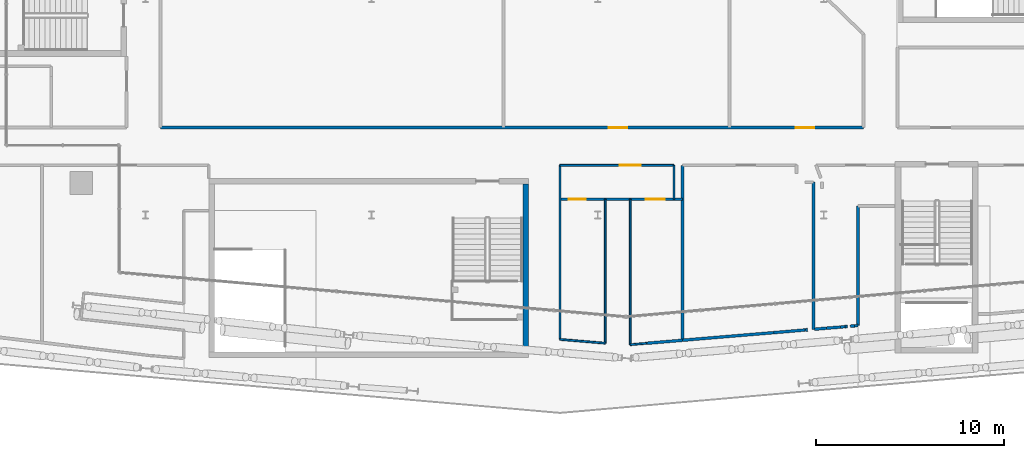
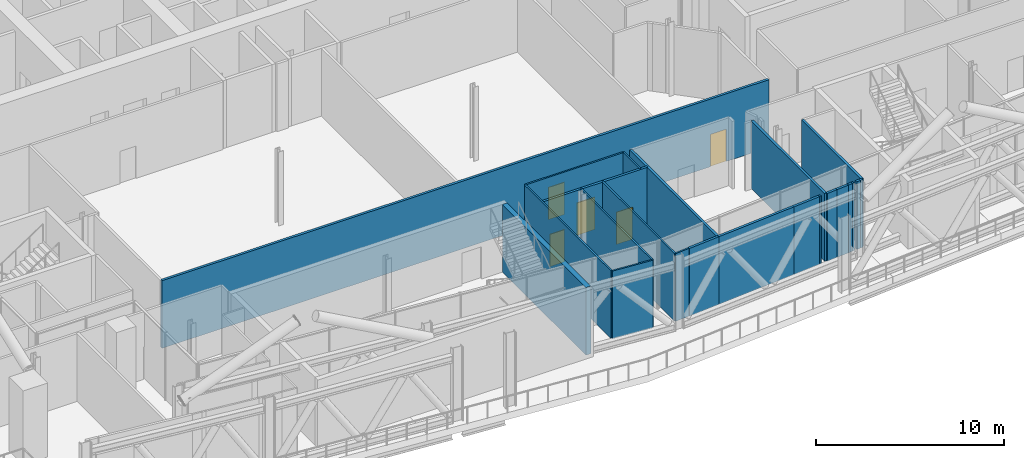
# One storey, part 14 of 35: 23 walls, 5 doors, 5 openings.
"""IFC4 building model written with IfcOpenShell, lengths in metres."""

import ifcopenshell
import ifcopenshell.guid

model = None  # the IFC model being written
_history = None  # IfcOwnerHistory: only IFC2X3 demands one
_inside = {}  # id of a spatial element -> (the spatial element, [elements in it])
_under = {}  # id of a project, library or spatial element -> (it, [spatial elements below it])
_declared = {}  # id of a project -> (the project, [libraries it declares])
_typed = {}  # id of a type object -> (the type object, [elements of that type])
_made_of = {}  # id of a material, layer set ... -> (it, [elements and type objects made of it])


def new_model(schema):
    """Start an empty IFC model of exactly this schema.

    Asked for "IFC4X3", IfcOpenShell would pick the latest addendum, in which some entities
    have other attributes; the version numbers below select the first issue.
    IFC2X3 requires an IfcOwnerHistory on every rooted entity: one is made here for all.
    """
    global model, _history
    if schema == "IFC4X3":
        model = ifcopenshell.file(schema_version=(4, 3, 0, 0))
    else:
        model = ifcopenshell.file(schema=schema)
    _inside.clear()
    _under.clear()
    _declared.clear()
    _typed.clear()
    _made_of.clear()
    _history = None
    if model.schema == "IFC2X3":
        org = make("IfcOrganization", Name="unknown")
        user = make(
            "IfcPersonAndOrganization",
            ThePerson=make("IfcPerson", FamilyName="unknown"),
            TheOrganization=org,
        )
        app = make(
            "IfcApplication",
            ApplicationDeveloper=org,
            Version="unknown",
            ApplicationFullName="unknown",
            ApplicationIdentifier="unknown",
        )
        _history = make(
            "IfcOwnerHistory",
            OwningUser=user,
            OwningApplication=app,
            ChangeAction="ADDED",
            CreationDate=0,
        )
    return model


def make(cls, **values):
    """One entity of the class cls with the attributes given. An attribute that is None is left unset."""
    return model.create_entity(
        cls, **{name: value for name, value in values.items() if value is not None}
    )


def rooted(cls, **values):
    """An entity with a GlobalId (a new one), such as an element, a storey or a relation."""
    return make(cls, GlobalId=ifcopenshell.guid.new(), OwnerHistory=_history, **values)


def si_unit(unit_type, name, prefix=None):
    """IfcSIUnit, for example si_unit("LENGTHUNIT", "METRE", prefix="MILLI")."""
    return make("IfcSIUnit", UnitType=unit_type, Prefix=prefix, Name=name)


def assignment(units):
    """IfcUnitAssignment: the units of a project."""
    return None if units is None else make("IfcUnitAssignment", Units=units)


def point(xyz):
    """IfcCartesianPoint."""
    return None if xyz is None else make("IfcCartesianPoint", Coordinates=xyz)


def direction(xyz):
    """IfcDirection."""
    return None if xyz is None else make("IfcDirection", DirectionRatios=xyz)


def frame(location, z_axis=None, x_axis=None):
    """IfcAxis2Placement3D, a coordinate frame: its origin and axes. An axis left out is left unset."""
    return make(
        "IfcAxis2Placement3D",
        Location=point(location),
        Axis=direction(z_axis),
        RefDirection=direction(x_axis),
    )


def frame_2d(location, x_axis=None):
    """IfcAxis2Placement2D, a coordinate frame in the plane: its origin and x axis."""
    return make(
        "IfcAxis2Placement2D", Location=point(location), RefDirection=direction(x_axis)
    )


def origin():
    """The frame at (0, 0, 0) with its axes left unset."""
    return frame((0.0, 0.0, 0.0))


def place(relative_to, where):
    """IfcLocalPlacement: puts the frame where relative to a parent placement (None: the world)."""
    return make(
        "IfcLocalPlacement", PlacementRelTo=relative_to, RelativePlacement=where
    )


def context(
    kind, dimensions, precision=None, world=None, true_north=None, identifier=None
):
    """IfcGeometricRepresentationContext, for example the 3D "Model" context."""
    return make(
        "IfcGeometricRepresentationContext",
        ContextIdentifier=identifier,
        ContextType=kind,
        CoordinateSpaceDimension=dimensions,
        Precision=precision,
        WorldCoordinateSystem=world,
        TrueNorth=true_north,
    )


def subcontext(parent, identifier, kind, view, scale=None):
    """IfcGeometricRepresentationSubContext, for example "Body" below "Model"."""
    return make(
        "IfcGeometricRepresentationSubContext",
        ContextIdentifier=identifier,
        ContextType=kind,
        ParentContext=parent,
        TargetScale=scale,
        TargetView=view,
    )


def project(units=None, contexts=None):
    """IfcProject with its units and contexts."""
    return rooted(
        "IfcProject",
        Name="project",
        RepresentationContexts=contexts,
        UnitsInContext=assignment(units),
    )


def spatial(cls, under=None, at=None, **own):
    """A site, building, storey or space (cls), placed at a placement, below another one or the project."""
    s = rooted(cls, ObjectPlacement=at, **own)
    if under is not None:
        _under.setdefault(under.id(), (under, []))[1].append(s)
    return s


def profile(cls, at=None, kind="AREA", **sizes):
    """A parametric profile (cls). Its sizes go by their IFC names, for example OverallWidth=200.0."""
    return make(cls, ProfileType=kind, Position=at, **sizes)


def rectangle(**sizes):
    """IfcRectangleProfileDef."""
    return profile("IfcRectangleProfileDef", **sizes)


def extrude(swept, where, along, depth):
    """IfcExtrudedAreaSolid: the profile swept, set in the frame where, extruded along a direction by depth."""
    return make(
        "IfcExtrudedAreaSolid",
        SweptArea=swept,
        Position=where,
        ExtrudedDirection=direction(along),
        Depth=depth,
    )


def shape(context_of_items, identifier, shape_type, items):
    """IfcShapeRepresentation: the items that make up one representation, for example the "Body"."""
    return make(
        "IfcShapeRepresentation",
        ContextOfItems=context_of_items,
        RepresentationIdentifier=identifier,
        RepresentationType=shape_type,
        Items=items,
    )


def material(Name=None, Category=None):
    """IfcMaterial."""
    return make("IfcMaterial", Name=Name, Category=Category)


def layer(
    of_material, thickness, ventilated=None, Name=None, Category=None, Priority=None
):
    """IfcMaterialLayer: one layer of a wall or slab, of a material (None: an air gap)."""
    return make(
        "IfcMaterialLayer",
        Material=of_material,
        LayerThickness=thickness,
        IsVentilated=ventilated,
        Name=Name,
        Category=Category,
        Priority=Priority,
    )


def layer_set(layers, Name=None):
    """IfcMaterialLayerSet."""
    return make("IfcMaterialLayerSet", MaterialLayers=layers, LayerSetName=Name)


def made_of(thing, what):
    """Note that an element or type object is made of a material, layer set ...; save() writes the relation."""
    if what is not None:
        _made_of.setdefault(what.id(), (what, []))[1].append(thing)
    return thing


def type_object(cls, material=None, **own):
    """A type object (cls), such as IfcWallType, which elements share."""
    return made_of(rooted(cls, **own), material)


def element(
    cls,
    number,
    at=None,
    inside=None,
    cuts=None,
    type_object=None,
    material=None,
    context=None,
    identifier="Body",
    shape_type=None,
    held_by="IfcProductDefinitionShape",
    body=None,
    shapes=None,
    **own,
):
    """One element of the class cls, such as IfcWall. Its Tag is "e" and its number.

    at: its placement. inside: the storey or other place that contains it. cuts: it is an
    opening in that element (IfcRelVoidsElement). A single representation is given by context,
    identifier, shape_type and body (its items); several are given by shapes. held_by: the class
    of the entity that holds the representations. save() writes the other relations.
    """
    e = rooted(cls, Tag="e%d" % number, ObjectPlacement=at, **own)
    if body is not None:
        shapes = [shape(context, identifier, shape_type, body)]
    if shapes is not None:
        e.Representation = make(held_by, Representations=shapes)
    if inside is not None:
        _inside.setdefault(inside.id(), (inside, []))[1].append(e)
    if cuts is not None:
        rooted(
            "IfcRelVoidsElement", RelatingBuildingElement=cuts, RelatedOpeningElement=e
        )
    if type_object is not None:
        _typed.setdefault(type_object.id(), (type_object, []))[1].append(e)
    return made_of(e, material)


def fill(opening, filler):
    """IfcRelFillsElement: the door or window that sits in an opening."""
    return rooted(
        "IfcRelFillsElement",
        RelatingOpeningElement=opening,
        RelatedBuildingElement=filler,
    )


def aggregate(whole, parts):
    """IfcRelAggregates: a whole, such as a stair, and the parts it consists of."""
    return rooted("IfcRelAggregates", RelatingObject=whole, RelatedObjects=parts)


def save(model, path):
    """Write the relations noted so far, then the file.

    IfcRelAggregates (storeys below a building ...), IfcRelContainedInSpatialStructure (elements
    in a storey), IfcRelDefinesByType, IfcRelAssociatesMaterial and IfcRelDeclares: one each for
    every whole, place, type object, material and project.
    """
    for whole, parts in _under.values():
        aggregate(whole, parts)
    for where, things in _inside.values():
        rooted(
            "IfcRelContainedInSpatialStructure",
            RelatedElements=things,
            RelatingStructure=where,
        )
    for kind, things in _typed.values():
        rooted("IfcRelDefinesByType", RelatedObjects=things, RelatingType=kind)
    for what, things in _made_of.values():
        rooted("IfcRelAssociatesMaterial", RelatedObjects=things, RelatingMaterial=what)
    for by, libraries in _declared.values():
        rooted("IfcRelDeclares", RelatingContext=by, RelatedDefinitions=libraries)
    model.write(path)


model = new_model("IFC4")

# Units and contexts
model_context = context("Model", 3, precision=1e-05, world=origin(), true_north=direction((0.0, 1.0)))
body_context = subcontext(model_context, "Body", "Model", "MODEL_VIEW")
ifc_project = project(units=[si_unit("LENGTHUNIT", "METRE"), si_unit("AREAUNIT", "SQUARE_METRE"), si_unit("VOLUMEUNIT", "CUBIC_METRE"), si_unit("PLANEANGLEUNIT", "RADIAN"), si_unit("MASSUNIT", "GRAM", prefix="KILO")], contexts=[model_context])

# Site, building, storey
site_placement = place(None, origin())
site = spatial("IfcSite", under=ifc_project, at=site_placement, CompositionType="ELEMENT")
building_placement = place(site_placement, origin())
building = spatial("IfcBuilding", under=site, at=building_placement, Name="Wharfspan Tower", CompositionType="ELEMENT")
storey_placement = place(building_placement, frame((0.0, 0.0, 202.300049)))
storey = spatial("IfcBuildingStorey", under=building, at=storey_placement, Name="L50", CompositionType="ELEMENT", Elevation=202.300049)

# Wall
ifc_material_1 = material(Name="Gypsum board on steel studs", Category="steel")
ifc_layer_1 = layer(ifc_material_1, 0.100098)
ifc_layer_set_1 = layer_set([ifc_layer_1], Name="Gypsum board on steel studs")
wall_type_1 = type_object("IfcWallType", Name="Compartment wall 100 EI 60", PredefinedType="PARTITIONING", material=ifc_layer_set_1)
wall_1_placement = place(storey_placement, frame((46.0, 4.899902, 0.0), z_axis=(0.0, 0.0, 1.0), x_axis=(0.0, 1.0, 0.0)))
element("IfcWall", 1, at=wall_1_placement, inside=storey, type_object=wall_type_1, Name="Partition L50.w047", PredefinedType="PARTITIONING", context=body_context, shape_type="SweptSolid", body=[
    extrude(rectangle(XDim=9.235107, YDim=0.100098, at=frame_2d((4.617676, 0.0))), origin(), (0.0, 0.0, 1.0), 4.399902),
])

# Wall, opening, door
wall_2_placement = place(storey_placement, frame((46.0, 14.13501, 0.0), z_axis=(0.0, 0.0, 1.0), x_axis=(1.0, 0.0, 0.0)))
wall_2 = element("IfcWall", 2, at=wall_2_placement, inside=storey, type_object=wall_type_1, Name="Partition L50.w049", PredefinedType="PARTITIONING", context=body_context, shape_type="SweptSolid", body=[
    extrude(rectangle(XDim=6.050049, YDim=0.100098, at=frame_2d((3.024902, 0.0))), origin(), (0.0, 0.0, 1.0), 4.399902),
])
opening_1_placement = place(wall_2_placement, frame((3.179932, 0.0, 0.0)))
opening_1 = element("IfcOpeningElement", 3, at=opening_1_placement, cuts=wall_2, Name="Opening BC-03", PredefinedType="OPENING", context=body_context, shape_type="SweptSolid", body=[
    extrude(rectangle(XDim=1.100098, YDim=2.100098, at=frame_2d((0.550049, 1.050049))), frame((0.0, 0.060059, 0.0), z_axis=(0.0, -1.0, 0.0), x_axis=(1.0, 0.0, 0.0)), (0.0, 0.0, 1.0), 0.120117),
])
ifc_material_2 = material(Name="Fire-rated timber door leaf in steel frame", Category="steel")
door_type_1 = type_object("IfcDoorType", Name="Door 1100 FD30S Right", OperationType="SINGLE_SWING_RIGHT", PredefinedType="DOOR", material=ifc_material_2)
door_1_placement = place(opening_1_placement, origin())
door_1 = element("IfcDoor", 4, at=door_1_placement, inside=storey, type_object=door_type_1, Name="Door BC-03", OperationType="SINGLE_SWING_RIGHT", OverallHeight=2.100098, OverallWidth=1.100098, PredefinedType="DOOR", context=body_context, shape_type="SweptSolid", body=[
    extrude(rectangle(XDim=1.100098, YDim=2.100098, at=frame_2d((0.550049, 1.050049))), frame((0.0, 0.024902, 0.0), z_axis=(0.0, -1.0, 0.0), x_axis=(1.0, 0.0, 0.0)), (0.0, 0.0, 1.0), 0.050049),
])
fill(opening_1, door_1)

# Walls
wall_3_placement = place(storey_placement, frame((52.050049, 12.344971, 0.0), z_axis=(0.0, 0.0, 1.0), x_axis=(0.0, 1.0, 0.0)))
element("IfcWall", 5, at=wall_3_placement, inside=storey, type_object=wall_type_1, Name="Partition L50.w055", PredefinedType="PARTITIONING", context=body_context, shape_type="SweptSolid", body=[
    extrude(rectangle(XDim=1.790039, YDim=0.100098, at=frame_2d((0.89502, 0.0))), origin(), (0.0, 0.0, 1.0), 4.399902),
])
ifc_layer_2 = layer(ifc_material_1, 0.100098)
ifc_layer_set_2 = layer_set([ifc_layer_2], Name="Gypsum board on steel studs")
wall_type_2 = type_object("IfcWallType", Name="Partition 100", PredefinedType="PARTITIONING", material=ifc_layer_set_2)
wall_4_placement = place(storey_placement, frame((48.399902, 4.699951, 0.0), z_axis=(0.0, 0.0, 1.0), x_axis=(-0.996551, 0.083029, 0.0)))
element("IfcWall", 6, at=wall_4_placement, inside=storey, type_object=wall_type_2, Name="Partition L50.w050", PredefinedType="PARTITIONING", context=body_context, shape_type="SweptSolid", body=[
    extrude(rectangle(XDim=2.408203, YDim=0.100098, at=frame_2d((1.204102, 0.0))), origin(), (0.0, 0.0, 1.0), 4.399902),
])
wall_5_placement = place(storey_placement, frame((48.399902, 4.699951, 0.0), z_axis=(0.0, 0.0, 1.0), x_axis=(0.0, 1.0, 0.0)))
element("IfcWall", 7, at=wall_5_placement, inside=storey, type_object=wall_type_2, Name="Partition L50.w051", PredefinedType="PARTITIONING", context=body_context, shape_type="SweptSolid", body=[
    extrude(rectangle(XDim=7.640137, YDim=0.100098, at=frame_2d((3.820068, 0.0))), origin(), (0.0, 0.0, 1.0), 4.399902),
])
wall_6_placement = place(storey_placement, frame((49.72998, 4.620117, 0.0), z_axis=(0.0, 0.0, 1.0), x_axis=(0.996307, 0.085821, 0.0)))
element("IfcWall", 8, at=wall_6_placement, inside=storey, type_object=wall_type_2, Name="Partition L50.w052", PredefinedType="PARTITIONING", context=body_context, shape_type="SweptSolid", body=[
    extrude(rectangle(XDim=0.873291, YDim=0.100098, at=frame_2d((0.436523, 0.0))), origin(), (0.0, 0.0, 1.0), 4.399902),
])
wall_7_placement = place(storey_placement, frame((49.72998, 4.620117, 0.0), z_axis=(0.0, 0.0, 1.0), x_axis=(0.0, 1.0, 0.0)))
element("IfcWall", 9, at=wall_7_placement, inside=storey, type_object=wall_type_2, Name="Partition L50.w053", PredefinedType="PARTITIONING", context=body_context, shape_type="SweptSolid", body=[
    extrude(rectangle(XDim=7.719971, YDim=0.100098, at=frame_2d((3.859863, 0.0))), origin(), (0.0, 0.0, 1.0), 4.399902),
])

# Wall, openings, doors
ifc_layer_3 = layer(ifc_material_1, 0.149902)
ifc_layer_set_3 = layer_set([ifc_layer_3], Name="Gypsum board on steel studs")
wall_type_3 = type_object("IfcWallType", Name="Plant room wall 150 EI 120", PredefinedType="PARTITIONING", material=ifc_layer_set_3)
wall_8_placement = place(storey_placement, frame((24.800049, 16.14502, 0.0), z_axis=(0.0, 0.0, 1.0), x_axis=(1.0, 0.0, 0.0)))
wall_8 = element("IfcWall", 10, at=wall_8_placement, inside=storey, type_object=wall_type_3, Name="Partition L50.w036", PredefinedType="PARTITIONING", context=body_context, shape_type="SweptSolid", body=[
    extrude(rectangle(XDim=37.304932, YDim=0.149902, at=frame_2d((18.652344, 0.0))), origin(), (0.0, 0.0, 1.0), 4.399902),
])
opening_2_placement = place(wall_8_placement, frame((23.780029, 0.0, 0.0)))
opening_2 = element("IfcOpeningElement", 11, at=opening_2_placement, cuts=wall_8, Name="Opening BC-11", PredefinedType="OPENING", context=body_context, shape_type="SweptSolid", body=[
    extrude(rectangle(XDim=1.0, YDim=2.100098, at=frame_2d((0.5, 1.050049))), frame((0.0, 0.084961, 0.0), z_axis=(0.0, -1.0, 0.0), x_axis=(1.0, 0.0, 0.0)), (0.0, 0.0, 1.0), 0.169922),
])
opening_3_placement = place(wall_8_placement, frame((33.705078, 0.0, 0.0)))
opening_3 = element("IfcOpeningElement", 12, at=opening_3_placement, cuts=wall_8, Name="Opening BC-12", PredefinedType="OPENING", context=body_context, shape_type="SweptSolid", body=[
    extrude(rectangle(XDim=1.0, YDim=2.100098, at=frame_2d((0.5, 1.050049))), frame((0.0, 0.084961, 0.0), z_axis=(0.0, -1.0, 0.0), x_axis=(1.0, 0.0, 0.0)), (0.0, 0.0, 1.0), 0.169922),
])
door_type_2 = type_object("IfcDoorType", Name="Door 1000 FD60 Right", OperationType="SINGLE_SWING_RIGHT", PredefinedType="DOOR", material=ifc_material_2)
door_2_placement = place(opening_2_placement, origin())
door_2 = element("IfcDoor", 13, at=door_2_placement, inside=storey, type_object=door_type_2, Name="Door BC-11", OperationType="SINGLE_SWING_RIGHT", OverallHeight=2.100098, OverallWidth=1.0, PredefinedType="DOOR", context=body_context, shape_type="SweptSolid", body=[
    extrude(rectangle(XDim=1.0, YDim=2.100098, at=frame_2d((0.5, 1.050049))), frame((0.0, 0.024902, 0.0), z_axis=(0.0, -1.0, 0.0), x_axis=(1.0, 0.0, 0.0)), (0.0, 0.0, 1.0), 0.050049),
])
fill(opening_2, door_2)
door_3_placement = place(opening_3_placement, origin())
door_3 = element("IfcDoor", 14, at=door_3_placement, inside=storey, type_object=door_type_2, Name="Door BC-12", OperationType="SINGLE_SWING_RIGHT", OverallHeight=2.100098, OverallWidth=1.0, PredefinedType="DOOR", context=body_context, shape_type="SweptSolid", body=[
    extrude(rectangle(XDim=1.0, YDim=2.100098, at=frame_2d((0.5, 1.050049))), frame((0.0, 0.024902, 0.0), z_axis=(0.0, -1.0, 0.0), x_axis=(1.0, 0.0, 0.0)), (0.0, 0.0, 1.0), 0.050049),
])
fill(opening_3, door_3)

wall_9_placement = place(storey_placement, frame((46.0, 12.340088, 0.0), z_axis=(0.0, 0.0, 1.0), x_axis=(1.0, 0.0, 0.0)))
wall_9 = element("IfcWall", 15, at=wall_9_placement, inside=storey, type_object=wall_type_3, Name="Partition L50.w048", PredefinedType="PARTITIONING", context=body_context, shape_type="SweptSolid", body=[
    extrude(rectangle(XDim=6.5, YDim=0.149902, at=frame_2d((3.25, 0.0))), origin(), (0.0, 0.0, 1.0), 4.399902),
])
opening_4_placement = place(wall_9_placement, frame((0.4729, 0.0, 0.0)))
opening_4 = element("IfcOpeningElement", 16, at=opening_4_placement, cuts=wall_9, Name="Opening BC-01", PredefinedType="OPENING", context=body_context, shape_type="SweptSolid", body=[
    extrude(rectangle(XDim=0.899902, YDim=2.100098, at=frame_2d((0.449951, 1.050049))), frame((0.0, 0.084961, 0.0), z_axis=(0.0, -1.0, 0.0), x_axis=(1.0, 0.0, 0.0)), (0.0, 0.0, 1.0), 0.169922),
])
opening_5_placement = place(wall_9_placement, frame((4.554932, 0.0, 0.0)))
opening_5 = element("IfcOpeningElement", 17, at=opening_5_placement, cuts=wall_9, Name="Opening BC-02", PredefinedType="OPENING", context=body_context, shape_type="SweptSolid", body=[
    extrude(rectangle(XDim=1.0, YDim=2.100098, at=frame_2d((0.5, 1.050049))), frame((0.0, 0.084961, 0.0), z_axis=(0.0, -1.0, 0.0), x_axis=(1.0, 0.0, 0.0)), (0.0, 0.0, 1.0), 0.169922),
])
ifc_material_3 = material(Name="Timber door leaf in steel frame", Category="steel")
door_type_3 = type_object("IfcDoorType", Name="Door 1000 NOT RATED Right", OperationType="SINGLE_SWING_RIGHT", PredefinedType="DOOR", material=ifc_material_3)
door_4_placement = place(opening_5_placement, origin())
door_4 = element("IfcDoor", 18, at=door_4_placement, inside=storey, type_object=door_type_3, Name="Door BC-02", OperationType="SINGLE_SWING_RIGHT", OverallHeight=2.100098, OverallWidth=1.0, PredefinedType="DOOR", context=body_context, shape_type="SweptSolid", body=[
    extrude(rectangle(XDim=1.0, YDim=2.100098, at=frame_2d((0.5, 1.050049))), frame((0.0, 0.024902, 0.0), z_axis=(0.0, -1.0, 0.0), x_axis=(1.0, 0.0, 0.0)), (0.0, 0.0, 1.0), 0.050049),
])
fill(opening_5, door_4)
door_type_4 = type_object("IfcDoorType", Name="Door 900 NOT RATED Left", OperationType="SINGLE_SWING_LEFT", PredefinedType="DOOR", material=ifc_material_3)
door_5_placement = place(opening_4_placement, origin())
door_5 = element("IfcDoor", 19, at=door_5_placement, inside=storey, type_object=door_type_4, Name="Door BC-01", OperationType="SINGLE_SWING_LEFT", OverallHeight=2.100098, OverallWidth=0.899902, PredefinedType="DOOR", context=body_context, shape_type="SweptSolid", body=[
    extrude(rectangle(XDim=0.899902, YDim=2.100098, at=frame_2d((0.449951, 1.050049))), frame((0.0, 0.024902, 0.0), z_axis=(0.0, -1.0, 0.0), x_axis=(1.0, 0.0, 0.0)), (0.0, 0.0, 1.0), 0.050049),
])
fill(opening_4, door_5)

# Walls
wall_10_placement = place(storey_placement, frame((50.600098, 4.695068, 0.0), z_axis=(0.0, 0.0, 1.0), x_axis=(0.996476, 0.083872, 0.0)))
element("IfcWall", 20, at=wall_10_placement, inside=storey, type_object=wall_type_3, Name="Partition L50.w054", PredefinedType="PARTITIONING", context=body_context, shape_type="SweptSolid", body=[
    extrude(rectangle(XDim=1.906738, YDim=0.149902, at=frame_2d((0.953369, 0.0))), origin(), (0.0, 0.0, 1.0), 4.399902),
])
wall_11_placement = place(storey_placement, frame((52.5, 4.85498, 0.0), z_axis=(0.0, 0.0, 1.0), x_axis=(0.0, 1.0, 0.0)))
element("IfcWall", 21, at=wall_11_placement, inside=storey, type_object=wall_type_3, Name="Partition L50.w056", PredefinedType="PARTITIONING", context=body_context, shape_type="SweptSolid", body=[
    extrude(rectangle(XDim=9.280029, YDim=0.149902, at=frame_2d((4.640137, 0.0))), origin(), (0.0, 0.0, 1.0), 4.399902),
])
wall_12_placement = place(storey_placement, frame((52.5, 4.85498, 0.0), z_axis=(0.0, 0.0, 1.0), x_axis=(0.99652, 0.083307, 0.0)))
element("IfcWall", 22, at=wall_12_placement, inside=storey, type_object=wall_type_3, Name="Partition L50.w057", PredefinedType="PARTITIONING", context=body_context, shape_type="SweptSolid", body=[
    extrude(rectangle(XDim=4.861816, YDim=0.149902, at=frame_2d((2.430908, 0.0))), origin(), (0.0, 0.0, 1.0), 4.399902),
])
wall_13_placement = place(storey_placement, frame((57.344971, 5.26001, 0.0), z_axis=(0.0, 0.0, 1.0), x_axis=(0.996443, 0.084225, 0.0)))
element("IfcWall", 23, at=wall_13_placement, inside=storey, type_object=wall_type_3, Name="Partition L50.w062", PredefinedType="PARTITIONING", context=body_context, shape_type="SweptSolid", body=[
    extrude(rectangle(XDim=1.660889, YDim=0.149902, at=frame_2d((0.830566, 0.0))), origin(), (0.0, 0.0, 1.0), 4.399902),
])
wall_14_placement = place(storey_placement, frame((59.030029, 5.399902, 0.0), z_axis=(0.0, 0.0, 1.0), x_axis=(0.995017, 0.099745, 0.0)))
element("IfcWall", 24, at=wall_14_placement, inside=storey, type_object=wall_type_3, Name="Partition L50.w069", PredefinedType="PARTITIONING", context=body_context, shape_type="SweptSolid", body=[
    extrude(rectangle(XDim=0.100342, YDim=0.149902, at=frame_2d((0.050293, 0.0))), origin(), (0.0, 0.0, 1.0), 4.399902),
])
wall_15_placement = place(storey_placement, frame((59.449951, 5.435059, 0.0), z_axis=(0.0, 0.0, 1.0), x_axis=(0.0, 1.0, 0.0)))
element("IfcWall", 25, at=wall_15_placement, inside=storey, type_object=wall_type_3, Name="Partition L50.w071", PredefinedType="PARTITIONING", context=body_context, shape_type="SweptSolid", body=[
    extrude(rectangle(XDim=7.810059, YDim=0.149902, at=frame_2d((3.905029, 0.0))), origin(), (0.0, 0.0, 1.0), 4.399902),
])
wall_16_placement = place(storey_placement, frame((59.5, 5.439941, 0.0), z_axis=(0.0, 0.0, 1.0), x_axis=(0.996305, 0.085908, 0.0)))
element("IfcWall", 26, at=wall_16_placement, inside=storey, type_object=wall_type_3, Name="Partition L50.w072", PredefinedType="PARTITIONING", context=body_context, shape_type="SweptSolid", body=[
    extrude(rectangle(XDim=0.642334, YDim=0.149902, at=frame_2d((0.321289, 0.0))), origin(), (0.0, 0.0, 1.0), 4.399902),
])
wall_17_placement = place(storey_placement, frame((60.139893, 5.495117, 0.0), z_axis=(0.0, 0.0, 1.0), x_axis=(0.996753, 0.080569, 0.0)))
element("IfcWall", 27, at=wall_17_placement, inside=storey, type_object=wall_type_3, Name="Partition L50.w076", PredefinedType="PARTITIONING", context=body_context, shape_type="SweptSolid", body=[
    extrude(rectangle(XDim=0.742432, YDim=0.149902, at=frame_2d((0.371094, 0.0))), origin(), (0.0, 0.0, 1.0), 4.399902),
])
wall_18_placement = place(storey_placement, frame((60.88501, 5.554932, 0.0), z_axis=(0.0, 0.0, 1.0), x_axis=(0.994772, 0.102155, 0.0)))
element("IfcWall", 28, at=wall_18_placement, inside=storey, type_object=wall_type_3, Name="Partition L50.w077", PredefinedType="PARTITIONING", context=body_context, shape_type="SweptSolid", body=[
    extrude(rectangle(XDim=0.246094, YDim=0.149902, at=frame_2d((0.123047, 0.0))), origin(), (0.0, 0.0, 1.0), 4.399902),
])
wall_19_placement = place(storey_placement, frame((61.139893, 5.580078, 0.0), z_axis=(0.0, 0.0, 1.0), x_axis=(0.995505, 0.0947, 0.0)))
element("IfcWall", 29, at=wall_19_placement, inside=storey, type_object=wall_type_3, Name="Partition L50.w079", PredefinedType="PARTITIONING", context=body_context, shape_type="SweptSolid", body=[
    extrude(rectangle(XDim=0.105713, YDim=0.149902, at=frame_2d((0.052734, 0.0))), origin(), (0.0, 0.0, 1.0), 4.399902),
])
wall_20_placement = place(storey_placement, frame((61.405029, 5.600098, 0.0), z_axis=(0.0, 0.0, 1.0), x_axis=(0.996234, 0.086721, 0.0)))
element("IfcWall", 30, at=wall_20_placement, inside=storey, type_object=wall_type_3, Name="Partition L50.w080", PredefinedType="PARTITIONING", context=body_context, shape_type="SweptSolid", body=[
    extrude(rectangle(XDim=0.230957, YDim=0.149902, at=frame_2d((0.115479, 0.0))), origin(), (0.0, 0.0, 1.0), 4.399902),
])
wall_21_placement = place(storey_placement, frame((61.63501, 5.620117, 0.0), z_axis=(0.0, 0.0, 1.0), x_axis=(0.996405, 0.084771, 0.0)))
element("IfcWall", 31, at=wall_21_placement, inside=storey, type_object=wall_type_3, Name="Partition L50.w081", PredefinedType="PARTITIONING", context=body_context, shape_type="SweptSolid", body=[
    extrude(rectangle(XDim=0.175781, YDim=0.149902, at=frame_2d((0.087891, 0.0))), origin(), (0.0, 0.0, 1.0), 4.399902),
])
wall_22_placement = place(storey_placement, frame((61.810059, 5.63501, 0.0), z_axis=(0.0, 0.0, 1.0), x_axis=(0.0, 1.0, 0.0)))
element("IfcWall", 32, at=wall_22_placement, inside=storey, type_object=wall_type_3, Name="Partition L50.w082", PredefinedType="PARTITIONING", context=body_context, shape_type="SweptSolid", body=[
    extrude(rectangle(XDim=6.350098, YDim=0.149902, at=frame_2d((3.175049, 0.0))), origin(), (0.0, 0.0, 1.0), 4.399902),
])
ifc_material_4 = material(Name="Concrete C40/50", Category="concrete")
ifc_layer_4 = layer(ifc_material_4, 0.300049)
ifc_layer_set_4 = layer_set([ifc_layer_4], Name="Concrete C40/50")
wall_type_4 = type_object("IfcWallType", Name="Stair core wall 300", PredefinedType="SHEAR", material=ifc_layer_set_4)
wall_23_placement = place(storey_placement, frame((44.177002, 4.234375, 0.0), z_axis=(0.0, 0.0, 1.0), x_axis=(0.0, 1.0, 0.0)))
element("IfcWall", 33, at=wall_23_placement, inside=storey, type_object=wall_type_4, Name="ST4 stair enclosure wall L50", PredefinedType="SHEAR", context=body_context, shape_type="SweptSolid", body=[
    extrude(rectangle(XDim=8.908936, YDim=0.300049, at=frame_2d((4.45459, 0.0))), origin(), (0.0, 0.0, 1.0), 4.399902),
])

save(model, "model.ifc")
